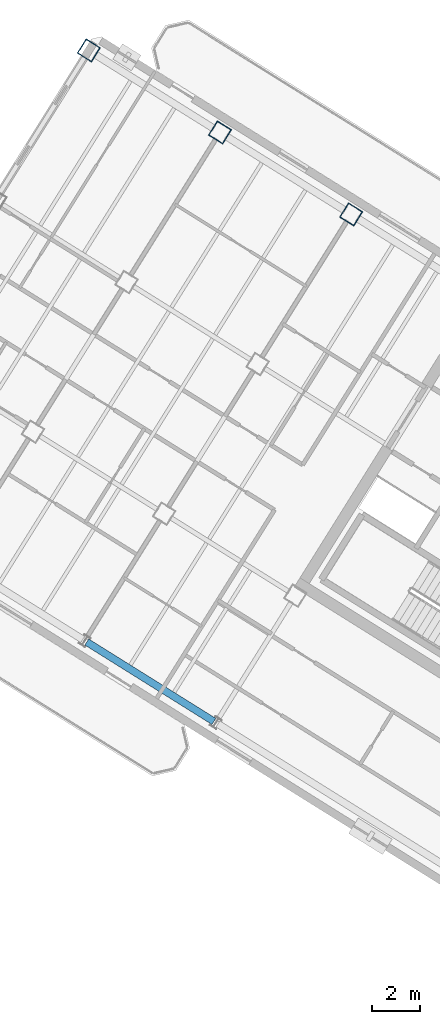
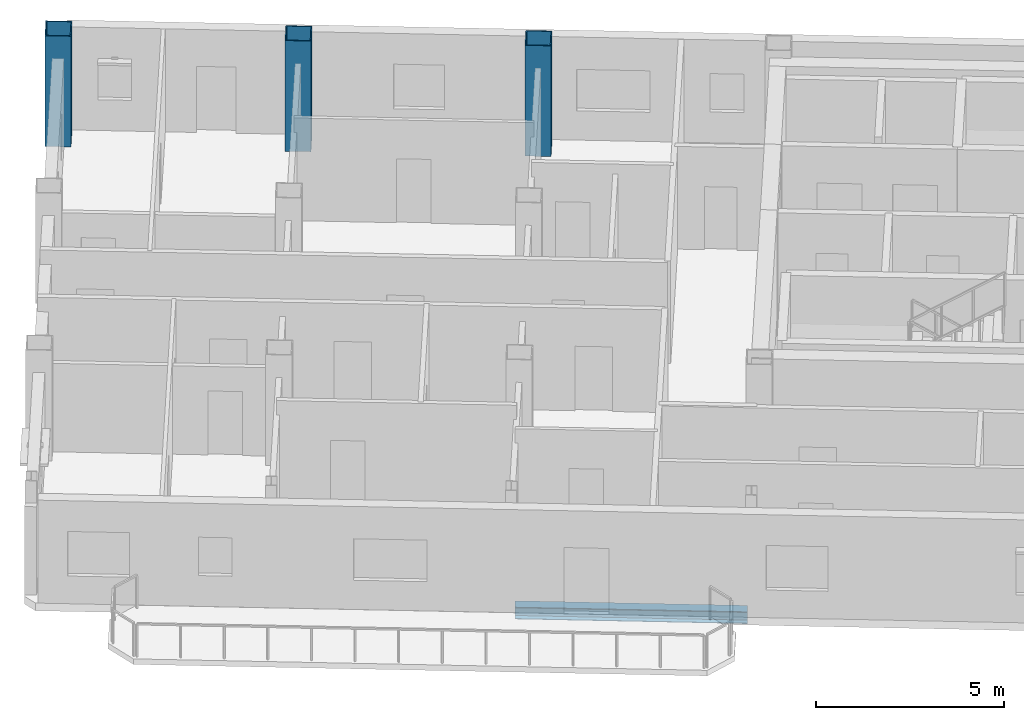
# One storey, part 2 of 15: 3 columns, 1 beam.
"""IFC4 building model written with IfcOpenShell, lengths in metres."""

from ifc_helpers import new_model, si_unit, direction, frame, origin, origin_2d, place, context, subcontext, project, spatial, hollow_rectangle, i_section, extrude, source, transform, mapped, material, material_profile, profile_set, type_object, element, save


model = new_model("IFC4")

# Units and contexts
model_context = context("Model", 3, precision=1e-05, world=origin(), true_north=direction((0.0, 1.0)))
body_context = subcontext(model_context, "Body", "Model", "MODEL_VIEW")
ifc_project = project(units=[si_unit("LENGTHUNIT", "METRE"), si_unit("AREAUNIT", "SQUARE_METRE"), si_unit("VOLUMEUNIT", "CUBIC_METRE"), si_unit("PLANEANGLEUNIT", "RADIAN"), si_unit("MASSUNIT", "GRAM", prefix="KILO")], contexts=[model_context])

# Site, building, storey
site_placement = place(None, origin())
site = spatial("IfcSite", under=ifc_project, at=site_placement, CompositionType="ELEMENT")
building_placement = place(site_placement, origin())
building = spatial("IfcBuilding", under=site, at=building_placement, Name="Tlacorven Tower", CompositionType="ELEMENT")
storey_placement = place(building_placement, frame((0.0, 0.0, 266.39990234375)))
storey = spatial("IfcBuildingStorey", under=building, at=storey_placement, Name="L67", CompositionType="ELEMENT", Elevation=266.39990234375)

# Columns
ifc_material_1 = material(Name="Steel S460M", Category="steel")
ifc_material_profile_1 = material_profile(ifc_material_1, hollow_rectangle(XDim=0.699951171875, YDim=0.699951171875, WallThickness=0.028076171875, at=origin_2d()), Name="BOX 700X700X28")
ifc_profile_set_1 = profile_set([ifc_material_profile_1], Name="Steel S460M")
column_type = type_object("IfcColumnType", Name="COL-TWR-S4", PredefinedType="COLUMN", material=ifc_profile_set_1)
shared_shape_1 = source(origin(), body_context, "Body", "SweptSolid", [
    extrude(hollow_rectangle(XDim=0.699951171875, YDim=0.699951171875, WallThickness=0.028076171875, at=origin_2d()), origin(), (0.0, 0.0, 1.0), 3.60009765625),
])
for number, where, z_axis, x_axis, name in (
    (1, (24.50048828125, 34.642822265625, 0.0), (0.0, 0.0, 1.0), (-0.848048096156, 0.529919264233, 0.0), "L67 column COL-L67-W4-1"),
    (2, (19.072998046875, 38.034423828125, 0.0), (0.0, 0.0, 1.0), (-0.848048096156, 0.529919264233, 0.0), "L67 column COL-L67-W5-1"),
    (3, (13.6455078125, 41.42578125, 0.0), (0.0, 0.0, 1.0), (-0.848048096156, 0.529919264233, 0.0), "L67 column COL-L67-W6-1"),
):
    element("IfcColumn", number, at=place(storey_placement, frame(where, z_axis=z_axis, x_axis=x_axis)), inside=storey, type_object=column_type, Name=name, PredefinedType="COLUMN", context=body_context, shape_type="MappedRepresentation", body=[
        mapped(shared_shape_1, transform((0.0, 0.0, 0.0), scale=1.0)),
    ])

# Beam
ifc_material_2 = material(Name="Steel S355J2", Category="steel")
ifc_material_profile_2 = material_profile(ifc_material_2, i_section(OverallWidth=0.300048828125, OverallDepth=0.389892578125, WebThickness=0.010986328125, FlangeThickness=0.01904296875, at=origin_2d()), Name="HEA 400")
ifc_profile_set_2 = profile_set([ifc_material_profile_2], Name="Steel S355J2")
beam_type = type_object("IfcBeamType", Name="BM-SPN-400", PredefinedType="SPANDREL", material=ifc_profile_set_2)
shared_shape_2 = source(origin(), body_context, "Body", "SweptSolid", [
    extrude(i_section(OverallWidth=0.300048828125, OverallDepth=0.389892578125, WebThickness=0.010986328125, FlangeThickness=0.01904296875, at=origin_2d()), origin(), (0.0, 0.0, 1.0), 6.199951171875),
])
beam_placement = place(storey_placement, frame((18.82080078125, 13.6650390625, -0.44482421875), z_axis=(-0.848051394107, 0.529913986372, 0.0), x_axis=(-0.529913986372, -0.848051394107, 0.0)))
element("IfcBeam", 4, at=beam_placement, inside=storey, type_object=beam_type, Name="L67 beam BM-L67-WL4-3", PredefinedType="SPANDREL", context=body_context, shape_type="MappedRepresentation", body=[
    mapped(shared_shape_2, transform((0.0, 0.0, 0.0), scale=1.0)),
])

save(model, "model.ifc")
